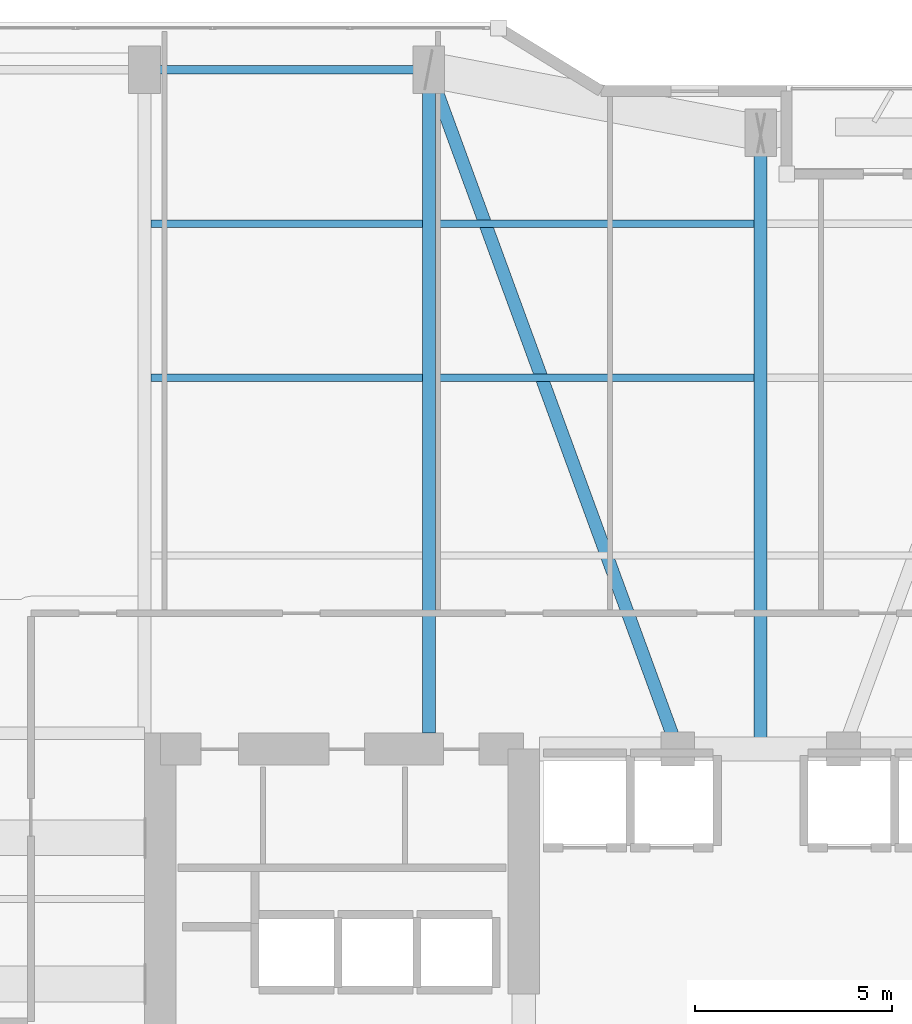
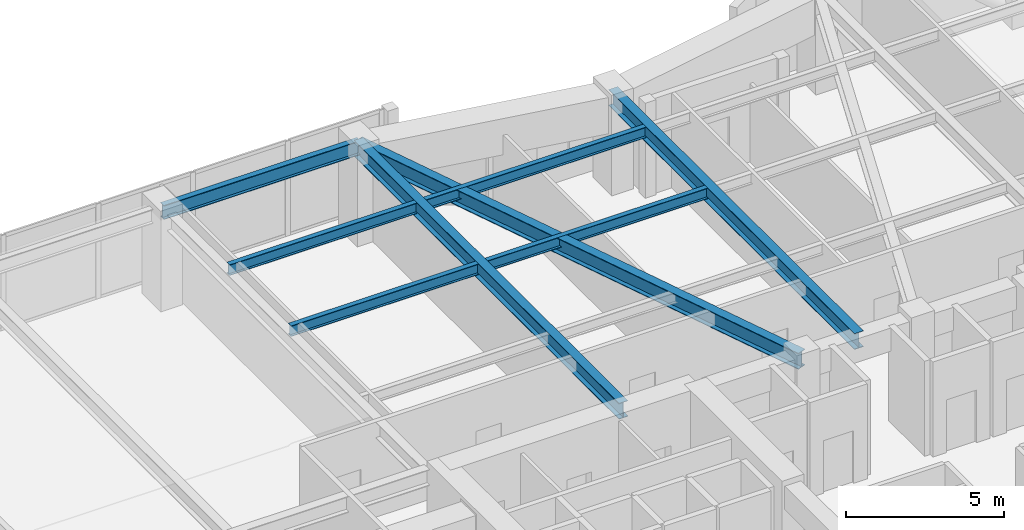
# One storey, part 18 of 30: 8 beams.
"""IFC4 building model written with IfcOpenShell, lengths in metres."""

from ifc_helpers import new_model, si_unit, direction, frame, origin, origin_2d, place, context, subcontext, project, spatial, i_section, extrude, material, material_profile, profile_set, type_object, element, save


model = new_model("IFC4")

# Units and contexts
model_context = context("Model", 3, precision=1e-05, world=origin(), true_north=direction((0.0, 1.0)))
body_context = subcontext(model_context, "Body", "Model", "MODEL_VIEW")
ifc_project = project(units=[si_unit("LENGTHUNIT", "METRE"), si_unit("AREAUNIT", "SQUARE_METRE"), si_unit("VOLUMEUNIT", "CUBIC_METRE"), si_unit("PLANEANGLEUNIT", "RADIAN"), si_unit("MASSUNIT", "GRAM", prefix="KILO")], contexts=[model_context])

# Site, building, storey
site_placement = place(None, origin())
site = spatial("IfcSite", under=ifc_project, at=site_placement, CompositionType="ELEMENT")
building_placement = place(site_placement, origin())
building = spatial("IfcBuilding", under=site, at=building_placement, Name="Kiyonajd Concourse Tower", CompositionType="ELEMENT")
storey_placement = place(building_placement, frame((0.0, 0.0, 177.89990234375)))
storey = spatial("IfcBuildingStorey", under=building, at=storey_placement, Name="L45", CompositionType="ELEMENT", Elevation=177.89990234375)

# Beams
ifc_material = material(Name="Steel ASTM A992 Grade 50", Category="steel")
ifc_material_profile_1 = material_profile(ifc_material, i_section(OverallWidth=0.180908203125, OverallDepth=0.4169921875, WebThickness=0.010986328125, FlangeThickness=0.018310546875, at=origin_2d()), Name="W410X85")
ifc_profile_set_1 = profile_set([ifc_material_profile_1], Name="Steel ASTM A992 Grade 50")
beam_type_1 = type_object("IfcBeamType", Name="BM-JST-410", PredefinedType="JOIST", material=ifc_profile_set_1)
beam_1_placement = place(storey_placement, frame((32.5634765625, 53.39990234375, 3.4716796875), z_axis=(1.0, 0.0, 0.0), x_axis=(0.0, 1.0, 0.0)))
element("IfcBeam", 1, at=beam_1_placement, inside=storey, type_object=beam_type_1, Name="L45 Secondary Floor Joist", PredefinedType="JOIST", context=body_context, shape_type="SweptSolid", body=[
    extrude(i_section(OverallWidth=0.180908203125, OverallDepth=0.4169921875, WebThickness=0.010986328125, FlangeThickness=0.018310546875, at=origin_2d()), origin(), (0.0, 0.0, 1.0), 6.873046875),
])
beam_2_placement = place(storey_placement, frame((39.763427734375, 53.39990234375, 3.4716796875), z_axis=(1.0, 0.0, 0.0), x_axis=(0.0, 1.0, 0.0)))
element("IfcBeam", 2, at=beam_2_placement, inside=storey, type_object=beam_type_1, Name="L45 Secondary Floor Joist", PredefinedType="JOIST", context=body_context, shape_type="SweptSolid", body=[
    extrude(i_section(OverallWidth=0.180908203125, OverallDepth=0.4169921875, WebThickness=0.010986328125, FlangeThickness=0.018310546875, at=origin_2d()), origin(), (0.0, 0.0, 1.0), 8.072998046875),
])
beam_3_placement = place(storey_placement, frame((32.5634765625, 57.300048828125, 3.4716796875), z_axis=(1.0, 0.0, 0.0), x_axis=(0.0, 1.0, 0.0)))
element("IfcBeam", 3, at=beam_3_placement, inside=storey, type_object=beam_type_1, Name="L45 Secondary Floor Joist", PredefinedType="JOIST", context=body_context, shape_type="SweptSolid", body=[
    extrude(i_section(OverallWidth=0.180908203125, OverallDepth=0.4169921875, WebThickness=0.010986328125, FlangeThickness=0.018310546875, at=origin_2d()), origin(), (0.0, 0.0, 1.0), 6.873046875),
])
beam_4_placement = place(storey_placement, frame((39.763427734375, 57.300048828125, 3.4716796875), z_axis=(1.0, 0.0, 0.0), x_axis=(0.0, 1.0, 0.0)))
element("IfcBeam", 4, at=beam_4_placement, inside=storey, type_object=beam_type_1, Name="L45 Secondary Floor Joist", PredefinedType="JOIST", context=body_context, shape_type="SweptSolid", body=[
    extrude(i_section(OverallWidth=0.180908203125, OverallDepth=0.4169921875, WebThickness=0.010986328125, FlangeThickness=0.018310546875, at=origin_2d()), origin(), (0.0, 0.0, 1.0), 8.072998046875),
])
ifc_material_profile_2 = material_profile(ifc_material, i_section(OverallWidth=0.214111328125, OverallDepth=0.549072265625, WebThickness=0.0146484375, FlangeThickness=0.023681640625, at=origin_2d()), Name="W530X138")
ifc_profile_set_2 = profile_set([ifc_material_profile_2], Name="Steel ASTM A992 Grade 50")
beam_type_2 = type_object("IfcBeamType", Name="BM-SPAN-530A", PredefinedType="SPANDREL", material=ifc_profile_set_2)
beam_5_placement = place(storey_placement, frame((39.60009765625, 61.199951171875, 3.405517578125), z_axis=(-1.0, 0.0, 0.0), x_axis=(0.0, -1.0, 0.0)))
element("IfcBeam", 5, at=beam_5_placement, inside=storey, type_object=beam_type_2, Name="L45 Perimeter Bundled Tube Spandrel", PredefinedType="SPANDREL", context=body_context, shape_type="SweptSolid", body=[
    extrude(i_section(OverallWidth=0.214111328125, OverallDepth=0.549072265625, WebThickness=0.0146484375, FlangeThickness=0.023681640625, at=origin_2d()), origin(), (0.0, 0.0, 1.0), 7.2001953125),
])
ifc_material_profile_3 = material_profile(ifc_material, i_section(OverallWidth=0.326904296875, OverallDepth=0.6220703125, WebThickness=0.015380859375, FlangeThickness=0.0244140625, at=origin_2d()), Name="W610X195")
ifc_profile_set_3 = profile_set([ifc_material_profile_3], Name="Steel ASTM A992 Grade 50")
beam_type_3 = type_object("IfcBeamType", Name="BM-TWR-610A", PredefinedType="BEAM", material=ifc_profile_set_3)
beam_6_placement = place(storey_placement, frame((39.60009765625, 61.199951171875, 3.369140625), z_axis=(0.343925269715, -0.938997022813, 0.0), x_axis=(0.938997022813, 0.343925269715, 0.0)))
element("IfcBeam", 6, at=beam_6_placement, inside=storey, type_object=beam_type_3, Name="L45 Core Tie Girder", PredefinedType="BEAM", context=body_context, shape_type="SweptSolid", body=[
    extrude(i_section(OverallWidth=0.326904296875, OverallDepth=0.6220703125, WebThickness=0.015380859375, FlangeThickness=0.0244140625, at=origin_2d()), origin(), (0.0, 0.0, 1.0), 18.3173828125),
])
beam_7_placement = place(storey_placement, frame((39.60009765625, 44.39990234375, 3.369140625), z_axis=(0.0, 1.0, 0.0), x_axis=(-1.0, 0.0, 0.0)))
element("IfcBeam", 7, at=beam_7_placement, inside=storey, type_object=beam_type_3, Name="L45 North Lease Girder", PredefinedType="BEAM", context=body_context, shape_type="SweptSolid", body=[
    extrude(i_section(OverallWidth=0.326904296875, OverallDepth=0.6220703125, WebThickness=0.015380859375, FlangeThickness=0.0244140625, at=origin_2d()), origin(), (0.0, 0.0, 1.0), 16.800048828125),
])
beam_8_placement = place(storey_placement, frame((48.0, 44.0, 3.369140625), z_axis=(0.0, 1.0, 0.0), x_axis=(-1.0, 0.0, 0.0)))
element("IfcBeam", 8, at=beam_8_placement, inside=storey, type_object=beam_type_3, Name="L45 North Ribbon Girder", PredefinedType="BEAM", context=body_context, shape_type="SweptSolid", body=[
    extrude(i_section(OverallWidth=0.326904296875, OverallDepth=0.6220703125, WebThickness=0.015380859375, FlangeThickness=0.0244140625, at=origin_2d()), origin(), (0.0, 0.0, 1.0), 15.60009765625),
])

save(model, "model.ifc")
